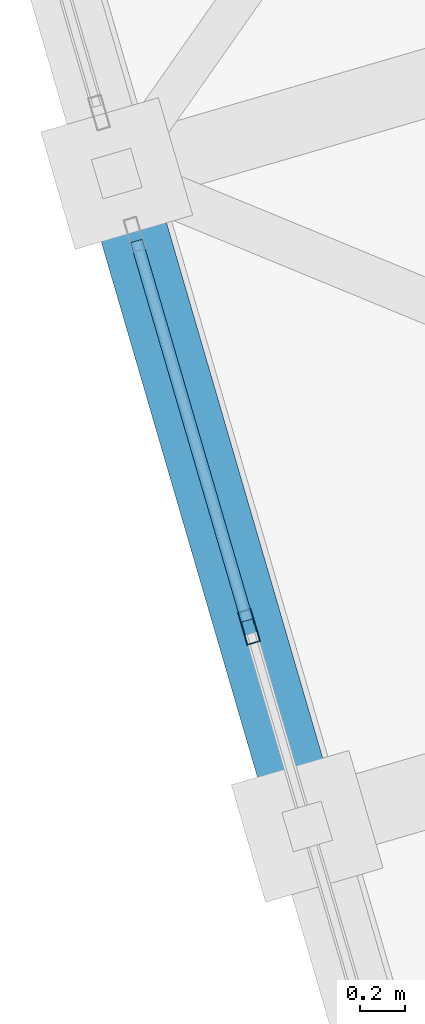
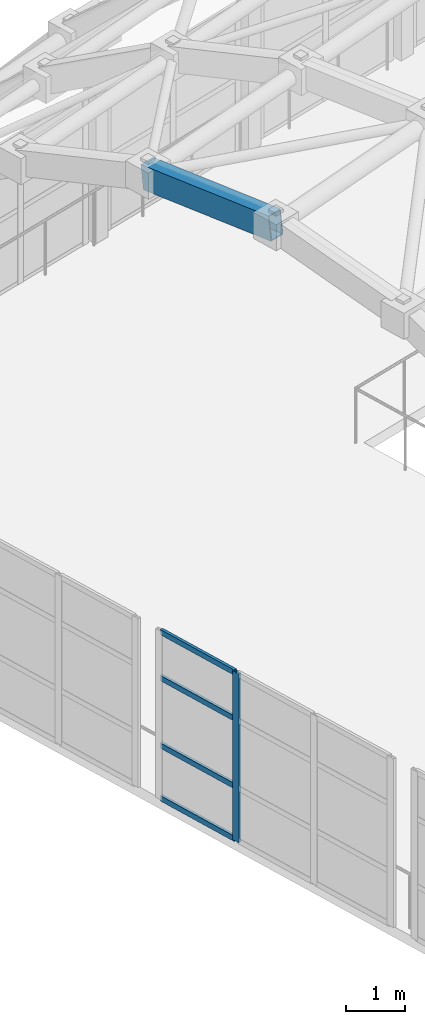
# One storey, part 37 of 248: 5 members, 1 beam, 1 element without a shape of its own.
"""IFC4 building model written with IfcOpenShell, lengths in metres."""

from ifc_helpers import new_model, si_unit, direction, frame, origin, origin_2d, place, context, subcontext, project, spatial, hollow_rectangle, extrude, material, layer, layer_set, material_profile, profile_set, type_object, element, aggregate, save


model = new_model("IFC4")

# Units and contexts
model_context = context("Model", 3, precision=1e-05, world=origin(), true_north=direction((0.0, 1.0)))
body_context = subcontext(model_context, "Body", "Model", "MODEL_VIEW")
ifc_project = project(units=[si_unit("LENGTHUNIT", "METRE"), si_unit("AREAUNIT", "SQUARE_METRE"), si_unit("VOLUMEUNIT", "CUBIC_METRE"), si_unit("PLANEANGLEUNIT", "RADIAN"), si_unit("MASSUNIT", "GRAM", prefix="KILO")], contexts=[model_context])

# Site, building, storey
site_placement = place(None, origin())
site = spatial("IfcSite", under=ifc_project, at=site_placement, CompositionType="ELEMENT")
building_placement = place(site_placement, origin())
building = spatial("IfcBuilding", under=site, at=building_placement, Name="Canggui Botanical Conservatory", CompositionType="ELEMENT")
storey_placement = place(building_placement, frame((0.0, 0.0, 5.39990234375)))
storey = spatial("IfcBuildingStorey", under=building, at=storey_placement, Name="L02", CompositionType="ELEMENT", Elevation=5.39990234375)

# Beam
ifc_material_1 = material(Name="Steel Q355C", Category="steel")
ifc_material_profile_1 = material_profile(ifc_material_1, hollow_rectangle(XDim=0.300048828125, YDim=0.5, WallThickness=0.01611328125, at=origin_2d()), Name="RHS 300x500x16")
ifc_profile_set_1 = profile_set([ifc_material_profile_1], Name="Steel Q355C")
beam_type = type_object("IfcBeamType", Name="BM-GJ01", PredefinedType="BEAM", material=ifc_profile_set_1)
beam_placement = place(storey_placement, frame((15.800048828125, 56.39990234375, 13.2001953125), z_axis=(-0.277749375577, 0.952225917953, -0.126968836903), x_axis=(-0.959995442804, -0.2800156242, 0.0)))
element("IfcBeam", 1, at=beam_placement, inside=storey, type_object=beam_type, Name="Conservatory Stepped-Arch Rib GJ-01 Segment 6", PredefinedType="BEAM", context=body_context, shape_type="SweptSolid", body=[
    extrude(hollow_rectangle(XDim=0.300048828125, YDim=0.5, WallThickness=0.01611328125, at=origin_2d()), origin(), (0.0, 0.0, 1.0), 3.024658203125),
])

# Curtain wall, members
ifc_material_2 = material(Name="Thermally Broken Aluminium", Category="aluminium")
ifc_layer = layer(ifc_material_2, 0.14990234375, Name="Thermally Broken Aluminium", Category="aluminium")
ifc_layer_set = layer_set([ifc_layer], Name="Thermally Broken Aluminium")
curtain_wall_type = type_object("IfcCurtainWallType", Name="CW-UNIT-C", PredefinedType="USERDEFINED", material=ifc_layer_set)
curtain_wall_placement = place(storey_placement, origin())
curtain_wall = element("IfcCurtainWall", 2, at=curtain_wall_placement, inside=storey, type_object=curtain_wall_type, Name="Facade Curtain Wall CW-CONS-GABLE-L02-S-03", ObjectType="UNITISED CURTAIN WALL", PredefinedType="USERDEFINED")
ifc_material_profile_2 = material_profile(ifc_material_2, hollow_rectangle(XDim=0.06005859375, YDim=0.14990234375, WallThickness=0.00341796875, at=origin_2d()), Name="CWM 60x150x3.5")
ifc_profile_set_2 = profile_set([ifc_material_profile_2], Name="Thermally Broken Aluminium")
member_type_1 = type_object("IfcMemberType", Name="CWM-03", PredefinedType="MULLION", material=ifc_profile_set_2)
member_1_placement = place(storey_placement, frame((15.543212890625, 57.280029296875, 0.0), z_axis=(0.0, 0.0, 1.0), x_axis=(-0.960000000002, -0.279999999995, 0.0)))
member_1 = element("IfcMember", 3, at=member_1_placement, type_object=member_type_1, Name="CW-03 mullion 3", PredefinedType="MULLION", context=body_context, shape_type="SweptSolid", body=[
    extrude(hollow_rectangle(XDim=0.06005859375, YDim=0.14990234375, WallThickness=0.00341796875, at=origin_2d()), origin(), (0.0, 0.0, 1.0), 3.5),
])
ifc_material_profile_3 = material_profile(ifc_material_2, hollow_rectangle(XDim=0.054931640625, YDim=0.110107421875, WallThickness=0.0029296875, at=origin_2d()), Name="CWT 55x110x3")
ifc_profile_set_3 = profile_set([ifc_material_profile_3], Name="Thermally Broken Aluminium")
member_type_2 = type_object("IfcMemberType", Name="CWT-03", PredefinedType="USERDEFINED", material=ifc_profile_set_3)
member_2_placement = place(storey_placement, frame((15.534912109375, 57.308837890625, 0.027587890625), z_axis=(-0.279951599808, 0.960014115399, 0.0), x_axis=(-0.960014115399, -0.279951599808, 0.0)))
member_2 = element("IfcMember", 4, at=member_2_placement, type_object=member_type_2, Name="CW-03 transom 3.1", ObjectType="TRANSOM", PredefinedType="USERDEFINED", context=body_context, shape_type="SweptSolid", body=[
    extrude(hollow_rectangle(XDim=0.054931640625, YDim=0.110107421875, WallThickness=0.0029296875, at=origin_2d()), origin(), (0.0, 0.0, 1.0), 1.743408203125),
])
member_3_placement = place(storey_placement, frame((15.534912109375, 57.308837890625, 1.1201171875), z_axis=(-0.279951599808, 0.960014115399, 0.0), x_axis=(-0.960014115399, -0.279951599808, 0.0)))
member_3 = element("IfcMember", 5, at=member_3_placement, type_object=member_type_2, Name="CW-03 transom 3.2", ObjectType="TRANSOM", PredefinedType="USERDEFINED", context=body_context, shape_type="SweptSolid", body=[
    extrude(hollow_rectangle(XDim=0.054931640625, YDim=0.110107421875, WallThickness=0.0029296875, at=origin_2d()), origin(), (0.0, 0.0, 1.0), 1.743408203125),
])
member_4_placement = place(storey_placement, frame((15.534912109375, 57.308837890625, 2.52001953125), z_axis=(-0.279951599808, 0.960014115399, 0.0), x_axis=(-0.960014115399, -0.279951599808, 0.0)))
member_4 = element("IfcMember", 6, at=member_4_placement, type_object=member_type_2, Name="CW-03 transom 3.3", ObjectType="TRANSOM", PredefinedType="USERDEFINED", context=body_context, shape_type="SweptSolid", body=[
    extrude(hollow_rectangle(XDim=0.054931640625, YDim=0.110107421875, WallThickness=0.0029296875, at=origin_2d()), origin(), (0.0, 0.0, 1.0), 1.743408203125),
])
member_5_placement = place(storey_placement, frame((15.534912109375, 57.308837890625, 3.47265625), z_axis=(-0.279951599808, 0.960014115399, 0.0), x_axis=(-0.960014115399, -0.279951599808, 0.0)))
member_5 = element("IfcMember", 7, at=member_5_placement, type_object=member_type_2, Name="CW-03 transom 3.4", ObjectType="TRANSOM", PredefinedType="USERDEFINED", context=body_context, shape_type="SweptSolid", body=[
    extrude(hollow_rectangle(XDim=0.054931640625, YDim=0.110107421875, WallThickness=0.0029296875, at=origin_2d()), origin(), (0.0, 0.0, 1.0), 1.743408203125),
])
aggregate(curtain_wall, [member_1, member_2, member_3, member_4, member_5])

save(model, "model.ifc")
